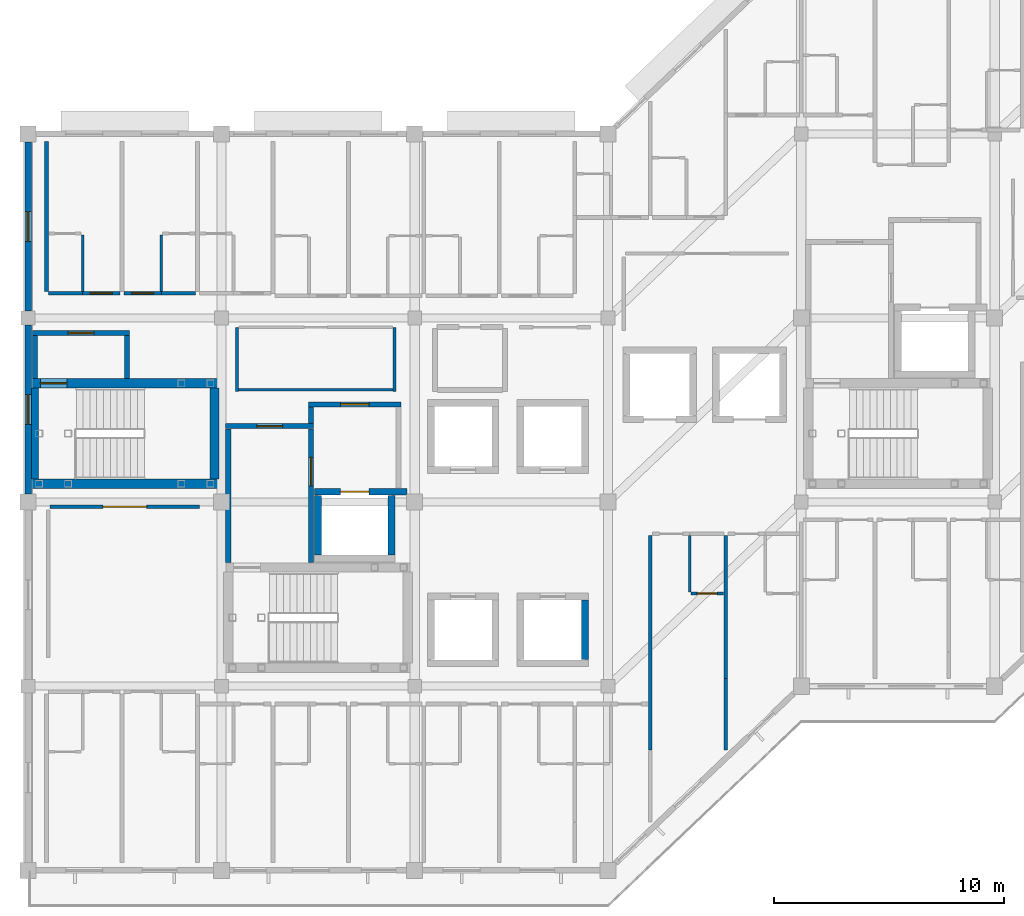
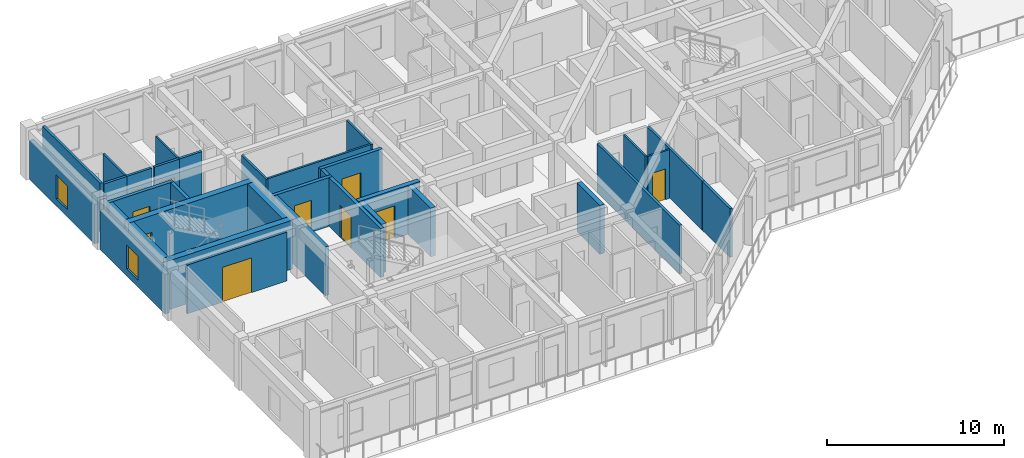
# One storey, part 6 of 15: 34 walls, 10 doors, 2 windows, 12 openings.
"""IFC4 building model written with IfcOpenShell, lengths in metres."""

from ifc_helpers import new_model, si_unit, direction, frame, frame_2d, origin, place, context, subcontext, project, spatial, rectangle, extrude, material, layer, layer_set, type_object, element, fill, save


model = new_model("IFC4")

# Units and contexts
model_context = context("Model", 3, precision=1e-05, world=origin(), true_north=direction((0.0, 1.0)))
body_context = subcontext(model_context, "Body", "Model", "MODEL_VIEW")
ifc_project = project(units=[si_unit("LENGTHUNIT", "METRE"), si_unit("AREAUNIT", "SQUARE_METRE"), si_unit("VOLUMEUNIT", "CUBIC_METRE"), si_unit("PLANEANGLEUNIT", "RADIAN"), si_unit("MASSUNIT", "GRAM", prefix="KILO")], contexts=[model_context])

# Site, building, storey
site_placement = place(None, origin())
site = spatial("IfcSite", under=ifc_project, at=site_placement, CompositionType="ELEMENT")
building_placement = place(site_placement, origin())
building = spatial("IfcBuilding", under=site, at=building_placement, Name="Naruveol Harbour Congress Hotel", CompositionType="ELEMENT")
storey_placement = place(building_placement, frame((0.0, 0.0, 36.0)))
storey = spatial("IfcBuildingStorey", under=building, at=storey_placement, Name="L08", CompositionType="ELEMENT", Elevation=36.0)

# Wall, opening, door
ifc_material_1 = material(Name="Acoustic Double Stud Gypsum", Category="gypsum")
ifc_layer_1 = layer(ifc_material_1, 0.139892578125)
ifc_layer_set_1 = layer_set([ifc_layer_1], Name="Acoustic Double Stud Gypsum")
wall_type_1 = type_object("IfcWallType", Name="ACOUSTIC MEETING PARTITION WALL 140", PredefinedType="PARTITIONING", material=ifc_layer_set_1)
wall_1_placement = place(storey_placement, frame((118.56005859375, 15.800048828125, 0.0), z_axis=(0.0, 0.0, 1.0), x_axis=(1.0, 0.0, 0.0)))
wall_1 = element("IfcWall", 1, at=wall_1_placement, inside=storey, type_object=wall_type_1, Name="Sky Club Salon north entry wall PW-140", PredefinedType="PARTITIONING", context=body_context, shape_type="SweptSolid", body=[
    extrude(rectangle(XDim=6.47998046875, YDim=0.139892578125, at=frame_2d((3.239990234375, 0.0))), origin(), (0.0, 0.0, 1.0), 3.364990234375),
])
opening_1_placement = place(wall_1_placement, frame((2.2900390625, 0.0, 0.0)))
opening_1 = element("IfcOpeningElement", 2, at=opening_1_placement, cuts=wall_1, Name="Opening ID-LG-121", PredefinedType="OPENING", context=body_context, shape_type="SweptSolid", body=[
    extrude(rectangle(XDim=1.89990234375, YDim=2.39990234375, at=frame_2d((0.949951171875, 1.199951171875))), frame((0.0, 0.079833984375, 0.0), z_axis=(0.0, -1.0, 0.0), x_axis=(1.0, 0.0, 0.0)), (0.0, 0.0, 1.0), 0.159912109375),
])
ifc_material_2 = material(Name="Timber & Steel Acoustic Leaf", Category="steel")
door_type_1 = type_object("IfcDoorType", Name="RESTAURANT AND LOUNGE GLAZED DOOR 1900X2400", OperationType="DOUBLE_DOOR_SINGLE_SWING", PredefinedType="DOOR", material=ifc_material_2)
door_1_placement = place(opening_1_placement, origin())
door_1 = element("IfcDoor", 3, at=door_1_placement, inside=storey, type_object=door_type_1, Name="Sky Club Salon Entrance Door", OperationType="DOUBLE_DOOR_SINGLE_SWING", OverallHeight=2.39990234375, OverallWidth=1.89990234375, PredefinedType="DOOR", context=body_context, shape_type="SweptSolid", body=[
    extrude(rectangle(XDim=1.89990234375, YDim=2.39990234375, at=frame_2d((0.949951171875, 1.199951171875))), frame((0.0, 0.02490234375, 0.0), z_axis=(0.0, -1.0, 0.0), x_axis=(1.0, 0.0, 0.0)), (0.0, 0.0, 1.0), 0.050048828125),
])
fill(opening_1, door_1)

# Wall, opening, window
ifc_material_3 = material(Name="Precast concrete C40/50", Category="concrete")
ifc_layer_2 = layer(ifc_material_3, 0.280029296875)
ifc_layer_set_2 = layer_set([ifc_layer_2], Name="Precast concrete C40/50")
wall_type_2 = type_object("IfcWallType", Name="ARCHITECTURAL PRECAST FACADE WALL 280", PredefinedType="SOLIDWALL", material=ifc_layer_set_2)
wall_2_placement = place(storey_placement, frame((117.60009765625, 16.35009765625, 0.0), z_axis=(0.0, 0.0, 1.0), x_axis=(0.0, 1.0, 0.0)))
wall_2 = element("IfcWall", 4, at=wall_2_placement, inside=storey, type_object=wall_type_2, Name="Hotel west gable wall L08 EW-280", PredefinedType="SOLIDWALL", context=body_context, shape_type="SweptSolid", body=[
    extrude(rectangle(XDim=7.349853515625, YDim=0.280029296875, at=frame_2d((3.6748046875, 0.0))), origin(), (0.0, 0.0, 1.0), 2.699951171875),
])
opening_2_placement = place(wall_2_placement, frame((3.02490234375, 0.0, 0.5)))
opening_2 = element("IfcOpeningElement", 5, at=opening_2_placement, cuts=wall_2, Name="Opening W-27", PredefinedType="OPENING", context=body_context, shape_type="SweptSolid", body=[
    extrude(rectangle(XDim=1.300048828125, YDim=1.64990234375, at=frame_2d((0.64990234375, 0.824951171875))), frame((0.0, 0.14990234375, 0.0), z_axis=(0.0, -1.0, 0.0), x_axis=(1.0, 0.0, 0.0)), (0.0, 0.0, 1.0), 0.300048828125),
])
ifc_material_4 = material(Name="Low-E Triple Glazing in Thermal Aluminium", Category="aluminium")
window_type = type_object("IfcWindowType", Name="READING SALON TALL WINDOW 1300X1650", PartitioningType="SINGLE_PANEL", PredefinedType="WINDOW", material=ifc_material_4)
window_1_placement = place(opening_2_placement, origin())
window_1 = element("IfcWindow", 6, at=window_1_placement, inside=storey, type_object=window_type, Name="Window W-27 #445", OverallHeight=1.64990234375, OverallWidth=1.300048828125, PartitioningType="SINGLE_PANEL", PredefinedType="WINDOW", context=body_context, shape_type="SweptSolid", body=[
    extrude(rectangle(XDim=1.300048828125, YDim=1.64990234375, at=frame_2d((0.64990234375, 0.824951171875))), frame((0.0, 0.030029296875, 0.0), z_axis=(0.0, -1.0, 0.0), x_axis=(1.0, 0.0, 0.0)), (0.0, 0.0, 1.0), 0.06005859375),
])
fill(opening_2, window_1)

wall_3_placement = place(storey_placement, frame((117.60009765625, 24.300048828125, 0.0), z_axis=(0.0, 0.0, 1.0), x_axis=(0.0, 1.0, 0.0)))
wall_3 = element("IfcWall", 7, at=wall_3_placement, inside=storey, type_object=wall_type_2, Name="Hotel west gable wall L08 EW-280", PredefinedType="SOLIDWALL", context=body_context, shape_type="SweptSolid", body=[
    extrude(rectangle(XDim=7.349853515625, YDim=0.280029296875, at=frame_2d((3.6748046875, 0.0))), origin(), (0.0, 0.0, 1.0), 2.699951171875),
])
opening_3_placement = place(wall_3_placement, frame((3.02490234375, 0.0, 0.5)))
opening_3 = element("IfcOpeningElement", 8, at=opening_3_placement, cuts=wall_3, Name="Opening W-27", PredefinedType="OPENING", context=body_context, shape_type="SweptSolid", body=[
    extrude(rectangle(XDim=1.300048828125, YDim=1.64990234375, at=frame_2d((0.64990234375, 0.824951171875))), frame((0.0, 0.14990234375, 0.0), z_axis=(0.0, -1.0, 0.0), x_axis=(1.0, 0.0, 0.0)), (0.0, 0.0, 1.0), 0.300048828125),
])
window_2_placement = place(opening_3_placement, origin())
window_2 = element("IfcWindow", 9, at=window_2_placement, inside=storey, type_object=window_type, Name="Window W-27 #446", OverallHeight=1.64990234375, OverallWidth=1.300048828125, PartitioningType="SINGLE_PANEL", PredefinedType="WINDOW", context=body_context, shape_type="SweptSolid", body=[
    extrude(rectangle(XDim=1.300048828125, YDim=1.64990234375, at=frame_2d((0.64990234375, 0.824951171875))), frame((0.0, 0.030029296875, 0.0), z_axis=(0.0, -1.0, 0.0), x_axis=(1.0, 0.0, 0.0)), (0.0, 0.0, 1.0), 0.06005859375),
])
fill(opening_3, window_2)

# Walls
ifc_material_5 = material(Name="Moisture-Resistant Gypsum Partition", Category="gypsum")
ifc_layer_3 = layer(ifc_material_5, 0.114990234375)
ifc_layer_set_3 = layer_set([ifc_layer_3], Name="Moisture-Resistant Gypsum Partition")
wall_type_3 = type_object("IfcWallType", Name="BATHROOM MOISTURE PARTITION WALL 115", PredefinedType="PARTITIONING", material=ifc_layer_set_3)
for number, where, z_axis, x_axis, name in (
    (10, (119.969970703125, 25.159912109375, 0.0), (0.0, 0.0, 1.0), (0.0, 1.0, 0.0), "Bathroom east wall 0936 PW-115"),
    (11, (123.389892578125, 25.159912109375, 0.0), (0.0, 0.0, 1.0), (0.0, 1.0, 0.0), "Bathroom west wall 0937 PW-115"),
):
    element("IfcWall", number, at=place(storey_placement, frame(where, z_axis=z_axis, x_axis=x_axis)), inside=storey, type_object=wall_type_3, Name=name, PredefinedType="PARTITIONING", context=body_context, shape_type="SweptSolid", body=[
        extrude(rectangle(XDim=2.4501953125, YDim=0.114990234375, at=frame_2d((1.22509765625, 0.0))), origin(), (0.0, 0.0, 1.0), 3.364990234375),
    ])
wall_4_placement = place(storey_placement, frame((146.35009765625, 12.090087890625, 0.0), z_axis=(0.0, 0.0, 1.0), x_axis=(0.0, 1.0, 0.0)))
element("IfcWall", 12, at=wall_4_placement, inside=storey, type_object=wall_type_3, Name="Bathroom west wall 0929 PW-115", PredefinedType="PARTITIONING", context=body_context, shape_type="SweptSolid", body=[
    extrude(rectangle(XDim=2.449951171875, YDim=0.114990234375, at=frame_2d((1.22509765625, 0.0))), origin(), (0.0, 0.0, 1.0), 3.364990234375),
])

# Wall, opening, door
wall_5_placement = place(storey_placement, frame((146.409912109375, 12.030029296875, 0.0), z_axis=(0.0, 0.0, 1.0), x_axis=(1.0, 0.0, 0.0)))
wall_5 = element("IfcWall", 13, at=wall_5_placement, inside=storey, type_object=wall_type_3, Name="Bathroom south wall 0929 PW-115", PredefinedType="PARTITIONING", context=body_context, shape_type="SweptSolid", body=[
    extrude(rectangle(XDim=1.41015625, YDim=0.114990234375, at=frame_2d((0.705078125, 0.0))), origin(), (0.0, 0.0, 1.0), 3.364990234375),
])
opening_4_placement = place(wall_5_placement, frame((0.27490234375, 0.0, 0.0)))
opening_4 = element("IfcOpeningElement", 14, at=opening_4_placement, cuts=wall_5, Name="Opening BD-RM0929", PredefinedType="OPENING", context=body_context, shape_type="SweptSolid", body=[
    extrude(rectangle(XDim=0.860107421875, YDim=2.1201171875, at=frame_2d((0.43017578125, 1.06005859375))), frame((0.0, 0.0673828125, 0.0), z_axis=(0.0, -1.0, 0.0), x_axis=(1.0, 0.0, 0.0)), (0.0, 0.0, 1.0), 0.135009765625),
])
ifc_material_6 = material(Name="Timber & Steel Acoustic Leaf", Category="steel")
door_type_2 = type_object("IfcDoorType", Name="GUEST BATHROOM DOOR 860X2120", OperationType="NOTDEFINED", PredefinedType="DOOR", material=ifc_material_6)
door_2_placement = place(opening_4_placement, origin())
door_2 = element("IfcDoor", 15, at=door_2_placement, inside=storey, type_object=door_type_2, Name="Bathroom Door 0929", OperationType="SINGLE_SWING_RIGHT", OverallHeight=2.1201171875, OverallWidth=0.860107421875, PredefinedType="DOOR", context=body_context, shape_type="SweptSolid", body=[
    extrude(rectangle(XDim=0.860107421875, YDim=2.1201171875, at=frame_2d((0.43017578125, 1.06005859375))), frame((0.0, 0.02490234375, 0.0), z_axis=(0.0, -1.0, 0.0), x_axis=(1.0, 0.0, 0.0)), (0.0, 0.0, 1.0), 0.050048828125),
])
fill(opening_4, door_2)

# Wall
ifc_material_7 = material(Name="Concrete C40/50", Category="concrete")
ifc_layer_4 = layer(ifc_material_7, 0.219970703125)
ifc_layer_set_4 = layer_set([ifc_layer_4], Name="Concrete C40/50")
wall_type_4 = type_object("IfcWallType", Name="FIRE COMPARTMENT AND LOBBY WALL 220 EI120", PredefinedType="PARTITIONING", material=ifc_layer_set_4)
wall_6_placement = place(storey_placement, frame((126.300048828125, 13.364990234375, 0.0), z_axis=(0.0, 0.0, 1.0), x_axis=(0.0, 1.0, 0.0)))
element("IfcWall", 16, at=wall_6_placement, inside=storey, type_object=wall_type_4, Name="Smoke vestibule ST1 west wall FW-220", PredefinedType="PARTITIONING", context=body_context, shape_type="SweptSolid", body=[
    extrude(rectangle(XDim=5.820068359375, YDim=0.219970703125, at=frame_2d((2.91015625, 0.0))), origin(), (0.0, 0.0, 1.0), 3.364990234375),
])

# Wall, opening, door
wall_7_placement = place(storey_placement, frame((126.18994140625, 19.300048828125, 0.0), z_axis=(0.0, 0.0, 1.0), x_axis=(1.0, 0.0, 0.0)))
wall_7 = element("IfcWall", 17, at=wall_7_placement, inside=storey, type_object=wall_type_4, Name="Smoke vestibule ST1 north wall FW-220", PredefinedType="PARTITIONING", context=body_context, shape_type="SweptSolid", body=[
    extrude(rectangle(XDim=3.820068359375, YDim=0.219970703125, at=frame_2d((1.91015625, 0.0))), origin(), (0.0, 0.0, 1.0), 3.364990234375),
])
opening_5_placement = place(wall_7_placement, frame((1.35009765625, 0.0, 0.0)))
opening_5 = element("IfcOpeningElement", 18, at=opening_5_placement, cuts=wall_7, Name="Opening FD-ST1-V-L08", PredefinedType="OPENING", context=body_context, shape_type="SweptSolid", body=[
    extrude(rectangle(XDim=1.1201171875, YDim=2.199951171875, at=frame_2d((0.56005859375, 1.10009765625))), frame((0.0, 0.119873046875, 0.0), z_axis=(0.0, -1.0, 0.0), x_axis=(1.0, 0.0, 0.0)), (0.0, 0.0, 1.0), 0.239990234375),
])
ifc_material_8 = material(Name="Timber & Steel Acoustic Leaf", Category="steel")
door_type_3 = type_object("IfcDoorType", Name="VESTIBULE SMOKE CONTROL FIRE DOOR 1120X2200", OperationType="NOTDEFINED", PredefinedType="DOOR", material=ifc_material_8)
door_3_placement = place(opening_5_placement, origin())
door_3 = element("IfcDoor", 19, at=door_3_placement, inside=storey, type_object=door_type_3, Name="Smoke Vestibule Entry Door ST1 L08", OperationType="SINGLE_SWING_LEFT", OverallHeight=2.199951171875, OverallWidth=1.1201171875, PredefinedType="DOOR", context=body_context, shape_type="SweptSolid", body=[
    extrude(rectangle(XDim=1.1201171875, YDim=2.199951171875, at=frame_2d((0.56005859375, 1.10009765625))), frame((0.0, 0.02490234375, 0.0), z_axis=(0.0, -1.0, 0.0), x_axis=(1.0, 0.0, 0.0)), (0.0, 0.0, 1.0), 0.050048828125),
])
fill(opening_5, door_3)

wall_8_placement = place(storey_placement, frame((129.89990234375, 13.364990234375, 0.0), z_axis=(0.0, 0.0, 1.0), x_axis=(0.0, 1.0, 0.0)))
wall_8 = element("IfcWall", 20, at=wall_8_placement, inside=storey, type_object=wall_type_4, Name="Smoke vestibule ST1 east wall FW-220", PredefinedType="PARTITIONING", context=body_context, shape_type="SweptSolid", body=[
    extrude(rectangle(XDim=5.820068359375, YDim=0.219970703125, at=frame_2d((2.91015625, 0.0))), origin(), (0.0, 0.0, 1.0), 3.364990234375),
])
opening_6_placement = place(wall_8_placement, frame((3.3349609375, 0.0, 0.0)))
opening_6 = element("IfcOpeningElement", 21, at=opening_6_placement, cuts=wall_8, Name="Opening FD-FFL-ST1-L08", PredefinedType="OPENING", context=body_context, shape_type="SweptSolid", body=[
    extrude(rectangle(XDim=1.239990234375, YDim=2.199951171875, at=frame_2d((0.6201171875, 1.10009765625))), frame((0.0, 0.119873046875, 0.0), z_axis=(0.0, -1.0, 0.0), x_axis=(1.0, 0.0, 0.0)), (0.0, 0.0, 1.0), 0.239990234375),
])
ifc_material_9 = material(Name="Timber & Steel Acoustic Leaf", Category="steel")
door_type_4 = type_object("IfcDoorType", Name="FIREFIGHTING LOBBY FIRE DOOR 1240X2200", OperationType="NOTDEFINED", PredefinedType="DOOR", material=ifc_material_9)
door_4_placement = place(opening_6_placement, origin())
door_4 = element("IfcDoor", 22, at=door_4_placement, inside=storey, type_object=door_type_4, Name="Firefighting Lobby Vestibule Door ST1 L08", OperationType="SINGLE_SWING_RIGHT", OverallHeight=2.199951171875, OverallWidth=1.239990234375, PredefinedType="DOOR", context=body_context, shape_type="SweptSolid", body=[
    extrude(rectangle(XDim=1.239990234375, YDim=2.199951171875, at=frame_2d((0.6201171875, 1.10009765625))), frame((0.0, 0.02490234375, 0.0), z_axis=(0.0, -1.0, 0.0), x_axis=(1.0, 0.0, 0.0)), (0.0, 0.0, 1.0), 0.050048828125),
])
fill(opening_6, door_4)

# Wall
wall_9_placement = place(storey_placement, frame((129.89990234375, 19.4150390625, 0.0), z_axis=(0.0, 0.0, 1.0), x_axis=(0.0, 1.0, 0.0)))
element("IfcWall", 23, at=wall_9_placement, inside=storey, type_object=wall_type_4, Name="Firefighting lift lobby ST1 upper west wall FW-220", PredefinedType="PARTITIONING", context=body_context, shape_type="SweptSolid", body=[
    extrude(rectangle(XDim=0.719970703125, YDim=0.219970703125, at=frame_2d((0.35986328125, 0.0))), origin(), (0.0, 0.0, 1.0), 3.364990234375),
])

# Wall, opening, door
wall_10_placement = place(storey_placement, frame((129.7900390625, 20.25, 0.0), z_axis=(0.0, 0.0, 1.0), x_axis=(1.0, 0.0, 0.0)))
wall_10 = element("IfcWall", 24, at=wall_10_placement, inside=storey, type_object=wall_type_4, Name="Firefighting lift lobby ST1 north wall FW-220", PredefinedType="PARTITIONING", context=body_context, shape_type="SweptSolid", body=[
    extrude(rectangle(XDim=4.02001953125, YDim=0.219970703125, at=frame_2d((2.010009765625, 0.0))), origin(), (0.0, 0.0, 1.0), 3.364990234375),
])
opening_7_placement = place(wall_10_placement, frame((1.389892578125, 0.0, 0.0)))
opening_7 = element("IfcOpeningElement", 25, at=opening_7_placement, cuts=wall_10, Name="Opening FD-FFC-ST1-L08", PredefinedType="OPENING", context=body_context, shape_type="SweptSolid", body=[
    extrude(rectangle(XDim=1.239990234375, YDim=2.199951171875, at=frame_2d((0.6201171875, 1.10009765625))), frame((0.0, 0.119873046875, 0.0), z_axis=(0.0, -1.0, 0.0), x_axis=(1.0, 0.0, 0.0)), (0.0, 0.0, 1.0), 0.239990234375),
])
door_5_placement = place(opening_7_placement, origin())
door_5 = element("IfcDoor", 26, at=door_5_placement, inside=storey, type_object=door_type_4, Name="Firefighting Lobby Corridor Door ST1 L08", OperationType="SINGLE_SWING_LEFT", OverallHeight=2.199951171875, OverallWidth=1.239990234375, PredefinedType="DOOR", context=body_context, shape_type="SweptSolid", body=[
    extrude(rectangle(XDim=1.239990234375, YDim=2.199951171875, at=frame_2d((0.6201171875, 1.10009765625))), frame((0.0, 0.02490234375, 0.0), z_axis=(0.0, -1.0, 0.0), x_axis=(1.0, 0.0, 0.0)), (0.0, 0.0, 1.0), 0.050048828125),
])
fill(opening_7, door_5)

# Wall
wall_11_placement = place(storey_placement, frame((117.89990234375, 21.364990234375, 0.0), z_axis=(0.0, 0.0, 1.0), x_axis=(0.0, 1.0, 0.0)))
element("IfcWall", 27, at=wall_11_placement, inside=storey, type_object=wall_type_4, Name="Smoke vestibule ST3 west wall FW-220", PredefinedType="PARTITIONING", context=body_context, shape_type="SweptSolid", body=[
    extrude(rectangle(XDim=1.8701171875, YDim=0.219970703125, at=frame_2d((0.93505859375, 0.0))), origin(), (0.0, 0.0, 1.0), 3.364990234375),
])

# Wall, opening, door
wall_12_placement = place(storey_placement, frame((117.7900390625, 23.35009765625, 0.0), z_axis=(0.0, 0.0, 1.0), x_axis=(1.0, 0.0, 0.0)))
wall_12 = element("IfcWall", 28, at=wall_12_placement, inside=storey, type_object=wall_type_4, Name="Smoke vestibule ST3 north wall FW-220", PredefinedType="PARTITIONING", context=body_context, shape_type="SweptSolid", body=[
    extrude(rectangle(XDim=4.219970703125, YDim=0.219970703125, at=frame_2d((2.10986328125, 0.0))), origin(), (0.0, 0.0, 1.0), 3.364990234375),
])
opening_8_placement = place(wall_12_placement, frame((1.550048828125, 0.0, 0.0)))
opening_8 = element("IfcOpeningElement", 29, at=opening_8_placement, cuts=wall_12, Name="Opening FD-ST3-V-L08", PredefinedType="OPENING", context=body_context, shape_type="SweptSolid", body=[
    extrude(rectangle(XDim=1.1201171875, YDim=2.199951171875, at=frame_2d((0.56005859375, 1.10009765625))), frame((0.0, 0.119873046875, 0.0), z_axis=(0.0, -1.0, 0.0), x_axis=(1.0, 0.0, 0.0)), (0.0, 0.0, 1.0), 0.239990234375),
])
door_6_placement = place(opening_8_placement, origin())
door_6 = element("IfcDoor", 30, at=door_6_placement, inside=storey, type_object=door_type_3, Name="Smoke Vestibule Entry Door ST3 L08", OperationType="SINGLE_SWING_LEFT", OverallHeight=2.199951171875, OverallWidth=1.1201171875, PredefinedType="DOOR", context=body_context, shape_type="SweptSolid", body=[
    extrude(rectangle(XDim=1.1201171875, YDim=2.199951171875, at=frame_2d((0.56005859375, 1.10009765625))), frame((0.0, 0.02490234375, 0.0), z_axis=(0.0, -1.0, 0.0), x_axis=(1.0, 0.0, 0.0)), (0.0, 0.0, 1.0), 0.050048828125),
])
fill(opening_8, door_6)

# Walls
wall_13_placement = place(storey_placement, frame((121.89990234375, 21.364990234375, 0.0), z_axis=(0.0, 0.0, 1.0), x_axis=(0.0, 1.0, 0.0)))
element("IfcWall", 31, at=wall_13_placement, inside=storey, type_object=wall_type_4, Name="Smoke vestibule ST3 east wall FW-220", PredefinedType="PARTITIONING", context=body_context, shape_type="SweptSolid", body=[
    extrude(rectangle(XDim=1.8701171875, YDim=0.219970703125, at=frame_2d((0.93505859375, 0.0))), origin(), (0.0, 0.0, 1.0), 3.364990234375),
])
ifc_material_10 = material(Name="Autoclaved Aerated Concrete Block", Category="concrete")
ifc_layer_5 = layer(ifc_material_10, 0.159912109375)
ifc_layer_set_5 = layer_set([ifc_layer_5], Name="Autoclaved Aerated Concrete Block")
wall_type_5 = type_object("IfcWallType", Name="HOTEL PARTY AND CORRIDOR WALL 160 EI60", PredefinedType="PARTITIONING", material=ifc_layer_set_5)
wall_14_placement = place(storey_placement, frame((118.489990234375, 25.070068359375, 0.0), z_axis=(0.0, 0.0, 1.0), x_axis=(1.0, 0.0, 0.0)))
element("IfcWall", 32, at=wall_14_placement, inside=storey, type_object=wall_type_5, Name="Corridor wall 0936B PW-160", PredefinedType="PARTITIONING", context=body_context, shape_type="SweptSolid", body=[
    extrude(rectangle(XDim=1.469970703125, YDim=0.159912109375, at=frame_2d((0.73486328125, 0.0))), origin(), (0.0, 0.0, 1.0), 3.364990234375),
])

# Wall, opening, door
wall_15_placement = place(storey_placement, frame((119.969970703125, 25.070068359375, 0.0), z_axis=(0.0, 0.0, 1.0), x_axis=(1.0, 0.0, 0.0)))
wall_15 = element("IfcWall", 33, at=wall_15_placement, inside=storey, type_object=wall_type_5, Name="Corridor entry wall 0936 PW-160", PredefinedType="PARTITIONING", context=body_context, shape_type="SweptSolid", body=[
    extrude(rectangle(XDim=1.6201171875, YDim=0.159912109375, at=frame_2d((0.81005859375, 0.0))), origin(), (0.0, 0.0, 1.0), 3.364990234375),
])
opening_9_placement = place(wall_15_placement, frame((0.330078125, 0.0, 0.0)))
opening_9 = element("IfcOpeningElement", 34, at=opening_9_placement, cuts=wall_15, Name="Opening FD-RM0936", PredefinedType="OPENING", context=body_context, shape_type="SweptSolid", body=[
    extrude(rectangle(XDim=0.9599609375, YDim=2.199951171875, at=frame_2d((0.47998046875, 1.10009765625))), frame((0.0, 0.08984375, 0.0), z_axis=(0.0, -1.0, 0.0), x_axis=(1.0, 0.0, 0.0)), (0.0, 0.0, 1.0), 0.179931640625),
])
ifc_material_11 = material(Name="Timber & Steel Acoustic Leaf", Category="steel")
door_type_5 = type_object("IfcDoorType", Name="GUEST ROOM ENTRANCE FIRE DOOR 960X2200", OperationType="NOTDEFINED", PredefinedType="DOOR", material=ifc_material_11)
door_7_placement = place(opening_9_placement, origin())
door_7 = element("IfcDoor", 35, at=door_7_placement, inside=storey, type_object=door_type_5, Name="Hotel Room Door 0936", OperationType="SINGLE_SWING_LEFT", OverallHeight=2.199951171875, OverallWidth=0.9599609375, PredefinedType="DOOR", context=body_context, shape_type="SweptSolid", body=[
    extrude(rectangle(XDim=0.9599609375, YDim=2.199951171875, at=frame_2d((0.47998046875, 1.10009765625))), frame((0.0, 0.02490234375, 0.0), z_axis=(0.0, -1.0, 0.0), x_axis=(1.0, 0.0, 0.0)), (0.0, 0.0, 1.0), 0.050048828125),
])
fill(opening_9, door_7)

# Wall
wall_16_placement = place(storey_placement, frame((118.39990234375, 25.159912109375, 0.0), z_axis=(0.0, 0.0, 1.0), x_axis=(0.0, 1.0, 0.0)))
element("IfcWall", 36, at=wall_16_placement, inside=storey, type_object=wall_type_5, Name="Hotel party wall 0936 PW-160", PredefinedType="PARTITIONING", context=body_context, shape_type="SweptSolid", body=[
    extrude(rectangle(XDim=6.5, YDim=0.159912109375, at=frame_2d((3.25, 0.0))), origin(), (0.0, 0.0, 1.0), 3.364990234375),
])

# Wall, opening, door
wall_17_placement = place(storey_placement, frame((121.77001953125, 25.070068359375, 0.0), z_axis=(0.0, 0.0, 1.0), x_axis=(1.0, 0.0, 0.0)))
wall_17 = element("IfcWall", 37, at=wall_17_placement, inside=storey, type_object=wall_type_5, Name="Corridor entry wall 0937 PW-160", PredefinedType="PARTITIONING", context=body_context, shape_type="SweptSolid", body=[
    extrude(rectangle(XDim=1.619873046875, YDim=0.159912109375, at=frame_2d((0.81005859375, 0.0))), origin(), (0.0, 0.0, 1.0), 3.364990234375),
])
opening_10_placement = place(wall_17_placement, frame((0.330078125, 0.0, 0.0)))
opening_10 = element("IfcOpeningElement", 38, at=opening_10_placement, cuts=wall_17, Name="Opening FD-RM0937", PredefinedType="OPENING", context=body_context, shape_type="SweptSolid", body=[
    extrude(rectangle(XDim=0.9599609375, YDim=2.199951171875, at=frame_2d((0.47998046875, 1.10009765625))), frame((0.0, 0.08984375, 0.0), z_axis=(0.0, -1.0, 0.0), x_axis=(1.0, 0.0, 0.0)), (0.0, 0.0, 1.0), 0.179931640625),
])
door_8_placement = place(opening_10_placement, origin())
door_8 = element("IfcDoor", 39, at=door_8_placement, inside=storey, type_object=door_type_5, Name="Hotel Room Door 0937", OperationType="SINGLE_SWING_LEFT", OverallHeight=2.199951171875, OverallWidth=0.9599609375, PredefinedType="DOOR", context=body_context, shape_type="SweptSolid", body=[
    extrude(rectangle(XDim=0.9599609375, YDim=2.199951171875, at=frame_2d((0.47998046875, 1.10009765625))), frame((0.0, 0.02490234375, 0.0), z_axis=(0.0, -1.0, 0.0), x_axis=(1.0, 0.0, 0.0)), (0.0, 0.0, 1.0), 0.050048828125),
])
fill(opening_10, door_8)

# Walls
wall_18_placement = place(storey_placement, frame((123.39990234375, 25.070068359375, 0.0), z_axis=(0.0, 0.0, 1.0), x_axis=(1.0, 0.0, 0.0)))
element("IfcWall", 40, at=wall_18_placement, inside=storey, type_object=wall_type_5, Name="Corridor wall 0937B PW-160", PredefinedType="PARTITIONING", context=body_context, shape_type="SweptSolid", body=[
    extrude(rectangle(XDim=1.47021484375, YDim=0.159912109375, at=frame_2d((0.735107421875, 0.0))), origin(), (0.0, 0.0, 1.0), 3.364990234375),
])
wall_19_placement = place(storey_placement, frame((144.639892578125, 5.219970703125, 0.0), z_axis=(0.0, 0.0, 1.0), x_axis=(0.0, 1.0, 0.0)))
element("IfcWall", 41, at=wall_19_placement, inside=storey, type_object=wall_type_5, Name="Hotel party wall 0929 PW-160", PredefinedType="PARTITIONING", context=body_context, shape_type="SweptSolid", body=[
    extrude(rectangle(XDim=9.320068359375, YDim=0.159912109375, at=frame_2d((4.66015625, 0.0))), origin(), (0.0, 0.0, 1.0), 3.364990234375),
])
wall_20_placement = place(storey_placement, frame((147.919921875, 5.219970703125, 0.0), z_axis=(0.0, 0.0, 1.0), x_axis=(0.0, 1.0, 0.0)))
element("IfcWall", 42, at=wall_20_placement, inside=storey, type_object=wall_type_5, Name="Hotel end party wall 0929 PW-160", PredefinedType="PARTITIONING", context=body_context, shape_type="SweptSolid", body=[
    extrude(rectangle(XDim=3.110107421875, YDim=0.159912109375, at=frame_2d((1.55517578125, 0.0))), origin(), (0.0, 0.0, 1.0), 3.364990234375),
])
wall_21_placement = place(storey_placement, frame((147.919921875, 8.340087890625, 0.0), z_axis=(0.0, 0.0, 1.0), x_axis=(0.0, 1.0, 0.0)))
element("IfcWall", 43, at=wall_21_placement, inside=storey, type_object=wall_type_5, Name="Hotel party wall 0930 PW-160", PredefinedType="PARTITIONING", context=body_context, shape_type="SweptSolid", body=[
    extrude(rectangle(XDim=6.199951171875, YDim=0.159912109375, at=frame_2d((3.10009765625, 0.0))), origin(), (0.0, 0.0, 1.0), 3.364990234375),
])
ifc_material_12 = material(Name="Concrete C50/60", Category="concrete")
ifc_layer_6 = layer(ifc_material_12, 0.39990234375)
ifc_layer_set_6 = layer_set([ifc_layer_6], Name="Concrete C50/60")
wall_type_6 = type_object("IfcWallType", Name="RC CORE SHEAR WALL 400 EI120", PredefinedType="SHEAR", material=ifc_layer_set_6)
wall_22_placement = place(storey_placement, frame((117.75, 16.800048828125, 0.0), z_axis=(0.0, 0.0, 1.0), x_axis=(1.0, 0.0, 0.0)))
element("IfcWall", 44, at=wall_22_placement, inside=storey, type_object=wall_type_6, Name="Stair ST3 south core wall CW-400", PredefinedType="SHEAR", context=body_context, shape_type="SweptSolid", body=[
    extrude(rectangle(XDim=8.14990234375, YDim=0.39990234375, at=frame_2d((4.074951171875, 0.0))), origin(), (0.0, 0.0, 1.0), 3.364990234375),
])
wall_23_placement = place(storey_placement, frame((125.699951171875, 17.0048828125, 0.0), z_axis=(0.0, 0.0, 1.0), x_axis=(0.0, 1.0, 0.0)))
element("IfcWall", 45, at=wall_23_placement, inside=storey, type_object=wall_type_6, Name="Stair ST3 east core wall CW-400", PredefinedType="SHEAR", context=body_context, shape_type="SweptSolid", body=[
    extrude(rectangle(XDim=3.9501953125, YDim=0.39990234375, at=frame_2d((1.97509765625, 0.0))), origin(), (0.0, 0.0, 1.0), 3.364990234375),
])

# Wall, opening, door
wall_24_placement = place(storey_placement, frame((117.75, 21.159912109375, 0.0), z_axis=(0.0, 0.0, 1.0), x_axis=(1.0, 0.0, 0.0)))
wall_24 = element("IfcWall", 46, at=wall_24_placement, inside=storey, type_object=wall_type_6, Name="Stair ST3 north core wall CW-400", PredefinedType="SHEAR", context=body_context, shape_type="SweptSolid", body=[
    extrude(rectangle(XDim=8.14990234375, YDim=0.39990234375, at=frame_2d((4.074951171875, 0.0))), origin(), (0.0, 0.0, 1.0), 3.364990234375),
])
opening_11_placement = place(wall_24_placement, frame((0.3798828125, 0.0, 0.0)))
opening_11 = element("IfcOpeningElement", 47, at=opening_11_placement, cuts=wall_24, Name="Opening FD-ST3-S-L08", PredefinedType="OPENING", context=body_context, shape_type="SweptSolid", body=[
    extrude(rectangle(XDim=1.159912109375, YDim=2.199951171875, at=frame_2d((0.580078125, 1.10009765625))), frame((0.0, 0.2099609375, 0.0), z_axis=(0.0, -1.0, 0.0), x_axis=(1.0, 0.0, 0.0)), (0.0, 0.0, 1.0), 0.419921875),
])
ifc_material_13 = material(Name="Timber & Steel Acoustic Leaf", Category="steel")
door_type_6 = type_object("IfcDoorType", Name="SPECIAL ESCAPE STAIR FIRE DOOR 1160X2200", OperationType="NOTDEFINED", PredefinedType="DOOR", material=ifc_material_13)
door_9_placement = place(opening_11_placement, origin())
door_9 = element("IfcDoor", 48, at=door_9_placement, inside=storey, type_object=door_type_6, Name="Special Escape Stair Door ST3 L08", OperationType="SINGLE_SWING_RIGHT", OverallHeight=2.199951171875, OverallWidth=1.159912109375, PredefinedType="DOOR", context=body_context, shape_type="SweptSolid", body=[
    extrude(rectangle(XDim=1.159912109375, YDim=2.199951171875, at=frame_2d((0.580078125, 1.10009765625))), frame((0.0, 0.02490234375, 0.0), z_axis=(0.0, -1.0, 0.0), x_axis=(1.0, 0.0, 0.0)), (0.0, 0.0, 1.0), 0.050048828125),
])
fill(opening_11, door_9)

# Walls
ifc_material_14 = material(Name="Concrete C50/60", Category="concrete")
ifc_layer_7 = layer(ifc_material_14, 0.300048828125)
ifc_layer_set_7 = layer_set([ifc_layer_7], Name="Concrete C50/60")
wall_type_7 = type_object("IfcWallType", Name="RC STAIR AND HOISTWAY SHEAR WALL 300 EI120", PredefinedType="SHEAR", material=ifc_layer_set_7)
wall_25_placement = place(storey_placement, frame((141.800048828125, 9.155029296875, 0.0), z_axis=(0.0, 0.0, 1.0), x_axis=(0.0, 1.0, 0.0)))
element("IfcWall", 49, at=wall_25_placement, inside=storey, type_object=wall_type_7, Name="Hoistway east shear wall PL4 SW-300", PredefinedType="SHEAR", context=body_context, shape_type="SweptSolid", body=[
    extrude(rectangle(XDim=2.590087890625, YDim=0.300048828125, at=frame_2d((1.294921875, 0.0))), origin(), (0.0, 0.0, 1.0), 3.364990234375),
])
wall_26_placement = place(storey_placement, frame((133.39990234375, 13.705078125, 0.0), z_axis=(0.0, 0.0, 1.0), x_axis=(0.0, 1.0, 0.0)))
element("IfcWall", 50, at=wall_26_placement, inside=storey, type_object=wall_type_7, Name="Hoistway east shear wall FL1 SW-300", PredefinedType="SHEAR", context=body_context, shape_type="SweptSolid", body=[
    extrude(rectangle(XDim=2.58984375, YDim=0.300048828125, at=frame_2d((1.294921875, 0.0))), origin(), (0.0, 0.0, 1.0), 3.364990234375),
])

# Wall, opening, door
wall_27_placement = place(storey_placement, frame((134.06005859375, 16.449951171875, 0.0), z_axis=(0.0, 0.0, 1.0), x_axis=(-1.0, 0.0, 0.0)))
wall_27 = element("IfcWall", 51, at=wall_27_placement, inside=storey, type_object=wall_type_7, Name="Hoistway north shear wall FL1 SW-300", PredefinedType="SHEAR", context=body_context, shape_type="SweptSolid", body=[
    extrude(rectangle(XDim=4.010009765625, YDim=0.300048828125, at=frame_2d((2.0048828125, 0.0))), origin(), (0.0, 0.0, 1.0), 3.364990234375),
])
opening_12_placement = place(wall_27_placement, frame((1.635009765625, 0.0, 0.0)))
opening_12 = element("IfcOpeningElement", 52, at=opening_12_placement, cuts=wall_27, Name="Opening LD-FL1-L08", PredefinedType="OPENING", context=body_context, shape_type="SweptSolid", body=[
    extrude(rectangle(XDim=1.25, YDim=2.25, at=frame_2d((0.625, 1.125))), frame((0.0, 0.159912109375, 0.0), z_axis=(0.0, -1.0, 0.0), x_axis=(1.0, 0.0, 0.0)), (0.0, 0.0, 1.0), 0.320068359375),
])
ifc_material_15 = material(Name="Stainless Steel Lift Door", Category="steel")
door_type_7 = type_object("IfcDoorType", Name="FIREFIGHTING LIFT LANDING DOOR 1250X2250", OperationType="DOUBLE_DOOR_SLIDING", PredefinedType="DOOR", material=ifc_material_15)
door_10_placement = place(opening_12_placement, origin())
door_10 = element("IfcDoor", 53, at=door_10_placement, inside=storey, type_object=door_type_7, Name="Elevator Landing Door FL1 L08", OperationType="DOUBLE_DOOR_SLIDING", OverallHeight=2.25, OverallWidth=1.25, PredefinedType="DOOR", context=body_context, shape_type="SweptSolid", body=[
    extrude(rectangle(XDim=1.25, YDim=2.25, at=frame_2d((0.625, 1.125))), frame((0.0, 0.02490234375, 0.0), z_axis=(0.0, -1.0, 0.0), x_axis=(1.0, 0.0, 0.0)), (0.0, 0.0, 1.0), 0.050048828125),
])
fill(opening_12, door_10)

# Walls
wall_28_placement = place(storey_placement, frame((130.199951171875, 16.294921875, 0.0), z_axis=(0.0, 0.0, 1.0), x_axis=(0.0, -1.0, 0.0)))
element("IfcWall", 54, at=wall_28_placement, inside=storey, type_object=wall_type_7, Name="Hoistway west shear wall FL1 SW-300", PredefinedType="SHEAR", context=body_context, shape_type="SweptSolid", body=[
    extrude(rectangle(XDim=2.58984375, YDim=0.300048828125, at=frame_2d((1.294921875, 0.0))), origin(), (0.0, 0.0, 1.0), 3.364990234375),
])
wall_29_placement = place(storey_placement, frame((117.89990234375, 17.0048828125, 0.0), z_axis=(0.0, 0.0, 1.0), x_axis=(0.0, 1.0, 0.0)))
element("IfcWall", 55, at=wall_29_placement, inside=storey, type_object=wall_type_7, Name="Stair ST3 west core wall SW-300", PredefinedType="SHEAR", context=body_context, shape_type="SweptSolid", body=[
    extrude(rectangle(XDim=3.9501953125, YDim=0.300048828125, at=frame_2d((1.97509765625, 0.0))), origin(), (0.0, 0.0, 1.0), 3.364990234375),
])
ifc_material_16 = material(Name="Acoustic Double Stud Gypsum", Category="gypsum")
ifc_layer_8 = layer(ifc_material_16, 0.125)
ifc_layer_set_8 = layer_set([ifc_layer_8], Name="Acoustic Double Stud Gypsum")
wall_type_8 = type_object("IfcWallType", Name="SERVICE CHASE PARTITION WALL 125", PredefinedType="PARTITIONING", material=ifc_layer_set_8)
for number, where, z_axis, x_axis, name in (
    (56, (126.679931640625, 20.800048828125, 0.0), (0.0, 0.0, 1.0), (0.0, 1.0, 0.0), "Accessible Restroom west enclosure partition PW-125"),
    (57, (133.52001953125, 20.800048828125, 0.0), (0.0, 0.0, 1.0), (0.0, 1.0, 0.0), "Accessible Restroom east enclosure partition PW-125"),
):
    element("IfcWall", number, at=place(storey_placement, frame(where, z_axis=z_axis, x_axis=x_axis)), inside=storey, type_object=wall_type_8, Name=name, PredefinedType="PARTITIONING", context=body_context, shape_type="SweptSolid", body=[
        extrude(rectangle(XDim=2.7958984375, YDim=0.125, at=frame_2d((1.39794921875, 0.0))), origin(), (0.0, 0.0, 1.0), 3.364990234375),
    ])
wall_30_placement = place(storey_placement, frame((126.741943359375, 20.8798828125, 0.0), z_axis=(0.0, 0.0, 1.0), x_axis=(1.0, 0.0, 0.0)))
element("IfcWall", 58, at=wall_30_placement, inside=storey, type_object=wall_type_8, Name="Accessible Restroom south enclosure partition PW-125", PredefinedType="PARTITIONING", context=body_context, shape_type="SweptSolid", body=[
    extrude(rectangle(XDim=6.715087890625, YDim=0.125, at=frame_2d((3.357421875, 0.0))), origin(), (0.0, 0.0, 1.0), 3.364990234375),
])

save(model, "model.ifc")
